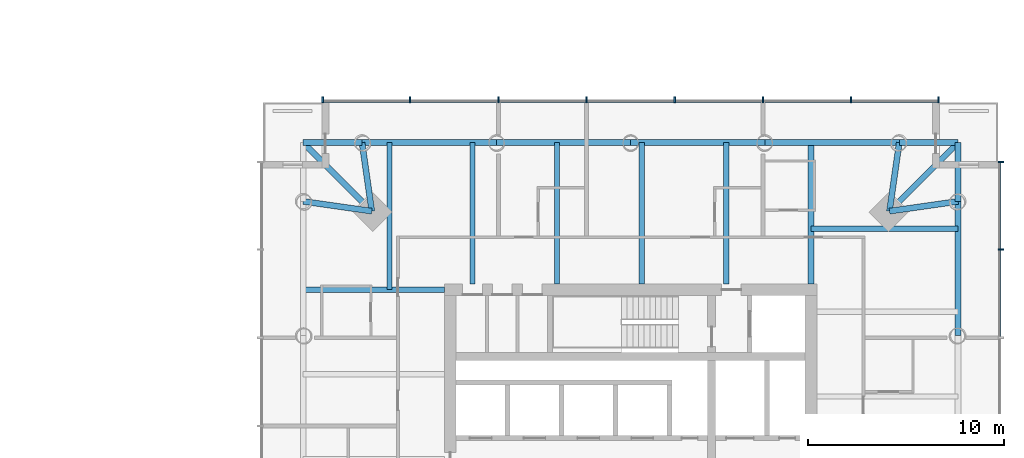
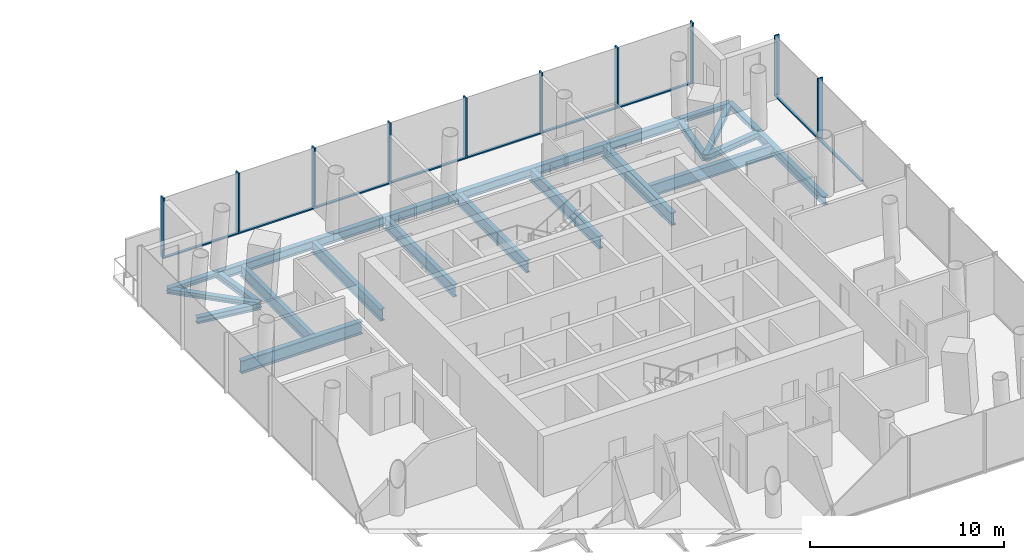
# One storey, part 6 of 18: 22 beams, 19 members, 2 elements without a shape of their own.
"""IFC4 building model written with IfcOpenShell, lengths in metres."""

from ifc_helpers import new_model, si_unit, direction, frame, origin, origin_2d, place, context, subcontext, project, spatial, rectangle, i_section, extrude, material, material_profile, profile_set, type_object, element, aggregate, save


model = new_model("IFC4")

# Units and contexts
model_context = context("Model", 3, precision=1e-05, world=origin(), true_north=direction((0.0, 1.0)))
body_context = subcontext(model_context, "Body", "Model", "MODEL_VIEW")
ifc_project = project(units=[si_unit("LENGTHUNIT", "METRE"), si_unit("AREAUNIT", "SQUARE_METRE"), si_unit("VOLUMEUNIT", "CUBIC_METRE"), si_unit("PLANEANGLEUNIT", "RADIAN"), si_unit("MASSUNIT", "GRAM", prefix="KILO")], contexts=[model_context])

# Site, building, storey
site_placement = place(None, origin())
site = spatial("IfcSite", under=ifc_project, at=site_placement, CompositionType="ELEMENT")
building_placement = place(site_placement, origin())
building = spatial("IfcBuilding", under=site, at=building_placement, Name="Ostroluk Exchange", CompositionType="ELEMENT")
storey_placement = place(building_placement, frame((0.0, 0.0, 74.199951171875)))
storey = spatial("IfcBuildingStorey", under=building, at=storey_placement, Name="L18", CompositionType="ELEMENT", Elevation=74.199951171875)

# Beams
ifc_material_1 = material(Name="Steel S355", Category="steel")
ifc_material_profile_1 = material_profile(ifc_material_1, i_section(OverallWidth=0.300048828125, OverallDepth=0.300048828125, WebThickness=0.010986328125, FlangeThickness=0.01904296875, FilletRadius=0.027099609375, at=origin_2d()), Name="HEB 300")
ifc_profile_set_1 = profile_set([ifc_material_profile_1], Name="Steel S355")
beam_type_1 = type_object("IfcBeamType", Name="Balcony beam HEB 300", PredefinedType="BEAM", material=ifc_profile_set_1)
for number, where, z_axis, x_axis, name in (
    (1, (133.706787109375, 59.706787109375, -0.349853515625), (0.0, 1.0, 0.0), (-1.0, 0.0, 0.0), "T2 east balcony beam a"),
    (2, (130.706787109375, 62.706787109375, -0.349853515625), (1.0, 0.0, 0.0), (0.0, 1.0, 0.0), "T2 east balcony beam b"),
):
    element("IfcBeam", number, at=place(storey_placement, frame(where, z_axis=z_axis, x_axis=x_axis)), inside=storey, type_object=beam_type_1, Name=name, PredefinedType="BEAM", context=body_context, shape_type="SweptSolid", body=[
        extrude(i_section(OverallWidth=0.300048828125, OverallDepth=0.300048828125, WebThickness=0.010986328125, FlangeThickness=0.01904296875, FilletRadius=0.027099609375, at=origin_2d()), origin(), (0.0, 0.0, 1.0), 3.0),
    ])
beam_1_placement = place(storey_placement, frame((130.206787109375, 59.206787109375, -0.349853515625), z_axis=(0.707106781187, 0.707106781187, 0.0), x_axis=(-0.707106781187, 0.707106781187, 0.0)))
element("IfcBeam", 3, at=beam_1_placement, inside=storey, type_object=beam_type_1, Name="T2 east balcony beam c", PredefinedType="BEAM", context=body_context, shape_type="SweptSolid", body=[
    extrude(i_section(OverallWidth=0.300048828125, OverallDepth=0.300048828125, WebThickness=0.010986328125, FlangeThickness=0.01904296875, FilletRadius=0.027099609375, at=origin_2d()), origin(), (0.0, 0.0, 1.0), 4.94970703125),
])
beam_2_placement = place(storey_placement, frame((103.293212890625, 62.706787109375, -0.349853515625), z_axis=(-1.0, 0.0, 0.0), x_axis=(0.0, -1.0, 0.0)))
element("IfcBeam", 4, at=beam_2_placement, inside=storey, type_object=beam_type_1, Name="T2 north balcony beam a", PredefinedType="BEAM", context=body_context, shape_type="SweptSolid", body=[
    extrude(i_section(OverallWidth=0.300048828125, OverallDepth=0.300048828125, WebThickness=0.010986328125, FlangeThickness=0.01904296875, FilletRadius=0.027099609375, at=origin_2d()), origin(), (0.0, 0.0, 1.0), 3.0),
])
beam_3_placement = place(storey_placement, frame((103.793212890625, 59.206787109375, -0.349853515625), z_axis=(-0.707106781187, 0.707106781187, 0.0), x_axis=(-0.707106781187, -0.707106781187, 0.0)))
element("IfcBeam", 5, at=beam_3_placement, inside=storey, type_object=beam_type_1, Name="T2 north balcony beam c", PredefinedType="BEAM", context=body_context, shape_type="SweptSolid", body=[
    extrude(i_section(OverallWidth=0.300048828125, OverallDepth=0.300048828125, WebThickness=0.010986328125, FlangeThickness=0.01904296875, FilletRadius=0.027099609375, at=origin_2d()), origin(), (0.0, 0.0, 1.0), 4.94970703125),
])
ifc_material_2 = material(Name="Steel S355", Category="steel")
ifc_material_profile_2 = material_profile(ifc_material_2, i_section(OverallWidth=0.300048828125, OverallDepth=0.39990234375, WebThickness=0.013427734375, FlangeThickness=0.02392578125, FilletRadius=0.027099609375, at=origin_2d()), Name="HEB 400")
ifc_profile_set_2 = profile_set([ifc_material_profile_2], Name="Steel S355")
beam_type_2 = type_object("IfcBeamType", Name="Corner edge beam HEB 400", PredefinedType="SPANDREL", material=ifc_profile_set_2)
for number, where, z_axis, x_axis, name in (
    (6, (130.206787109375, 59.206787109375, -0.39990234375), (0.989949493661, 0.141421356237, 0.0), (-0.141421356237, 0.989949493661, 0.0), "T2 east corner edge beam a"),
    (7, (130.206787109375, 59.206787109375, -0.39990234375), (0.141421356237, 0.989949493661, 0.0), (-0.989949493661, 0.141421356237, 0.0), "T2 east corner edge beam b"),
    (8, (103.793212890625, 59.206787109375, -0.39990234375), (-0.141421356237, 0.989949493661, 0.0), (-0.989949493661, -0.141421356237, 0.0), "T2 north corner edge beam a"),
    (9, (103.793212890625, 59.206787109375, -0.39990234375), (-0.989949493661, 0.141421356237, 0.0), (-0.141421356237, -0.989949493661, 0.0), "T2 north corner edge beam b"),
):
    element("IfcBeam", number, at=place(storey_placement, frame(where, z_axis=z_axis, x_axis=x_axis)), inside=storey, type_object=beam_type_2, Name=name, PredefinedType="SPANDREL", context=body_context, shape_type="SweptSolid", body=[
        extrude(i_section(OverallWidth=0.300048828125, OverallDepth=0.39990234375, WebThickness=0.013427734375, FlangeThickness=0.02392578125, FilletRadius=0.027099609375, at=origin_2d()), origin(), (0.0, 0.0, 1.0), 3.53564453125),
    ])
ifc_material_3 = material(Name="Steel S355", Category="steel")
ifc_material_profile_3 = material_profile(ifc_material_3, i_section(OverallWidth=0.264892578125, OverallDepth=0.7529296875, WebThickness=0.01318359375, FlangeThickness=0.01708984375, FilletRadius=0.01708984375, at=origin_2d()), Name="IPE 750x147")
ifc_profile_set_3 = profile_set([ifc_material_profile_3], Name="Steel S355")
beam_type_3 = type_object("IfcBeamType", Name="Floor beam IPE 750x147", PredefinedType="BEAM", material=ifc_profile_set_3)
beam_4_placement = place(storey_placement, frame((126.199951171875, 58.306884765625, -0.576416015625), z_axis=(1.0, 0.0, 0.0), x_axis=(0.0, 1.0, 0.0)))
element("IfcBeam", 10, at=beam_4_placement, inside=storey, type_object=beam_type_3, Name="T2 east floor beam 5", PredefinedType="BEAM", context=body_context, shape_type="SweptSolid", body=[
    extrude(i_section(OverallWidth=0.264892578125, OverallDepth=0.7529296875, WebThickness=0.01318359375, FlangeThickness=0.01708984375, FilletRadius=0.01708984375, at=origin_2d()), origin(), (0.0, 0.0, 1.0), 7.5068359375),
])
for number, where, z_axis, x_axis, name in (
    (11, (121.882080078125, 55.5, -0.576416015625), (0.0, 1.0, 0.0), (-1.0, 0.0, 0.0), "T2 north floor beam 1"),
    (12, (117.564453125, 55.5, -0.576416015625), (0.0, 1.0, 0.0), (-1.0, 0.0, 0.0), "T2 north floor beam 2"),
    (13, (113.24658203125, 55.5, -0.576416015625), (0.0, 1.0, 0.0), (-1.0, 0.0, 0.0), "T2 north floor beam 3"),
    (14, (108.9287109375, 55.5, -0.576416015625), (0.0, 1.0, 0.0), (-1.0, 0.0, 0.0), "T2 north floor beam 4"),
):
    element("IfcBeam", number, at=place(storey_placement, frame(where, z_axis=z_axis, x_axis=x_axis)), inside=storey, type_object=beam_type_3, Name=name, PredefinedType="BEAM", context=body_context, shape_type="SweptSolid", body=[
        extrude(i_section(OverallWidth=0.264892578125, OverallDepth=0.7529296875, WebThickness=0.01318359375, FlangeThickness=0.01708984375, FilletRadius=0.01708984375, at=origin_2d()), origin(), (0.0, 0.0, 1.0), 7.206787109375),
    ])
beam_5_placement = place(storey_placement, frame((104.693115234375, 55.199951171875, -0.576416015625), z_axis=(0.0, 1.0, 0.0), x_axis=(-1.0, 0.0, 0.0)))
element("IfcBeam", 15, at=beam_5_placement, inside=storey, type_object=beam_type_3, Name="T2 north floor beam 5", PredefinedType="BEAM", context=body_context, shape_type="SweptSolid", body=[
    extrude(i_section(OverallWidth=0.264892578125, OverallDepth=0.7529296875, WebThickness=0.01318359375, FlangeThickness=0.01708984375, FilletRadius=0.01708984375, at=origin_2d()), origin(), (0.0, 0.0, 1.0), 7.5068359375),
])
ifc_material_4 = material(Name="Steel S355", Category="steel")
ifc_material_profile_4 = material_profile(ifc_material_4, i_section(OverallWidth=0.300048828125, OverallDepth=0.800048828125, WebThickness=0.017578125, FlangeThickness=0.032958984375, FilletRadius=0.030029296875, at=origin_2d()), Name="HEB 800")
ifc_profile_set_4 = profile_set([ifc_material_profile_4], Name="Steel S355")
beam_type_4 = type_object("IfcBeamType", Name="Girder HEB 800", PredefinedType="BEAM", material=ifc_profile_set_4)
for number, where, z_axis, x_axis, name in (
    (16, (126.199951171875, 55.5, -0.599853515625), (0.0, 1.0, 0.0), (-1.0, 0.0, 0.0), "T2 east girder"),
    (17, (107.5, 55.199951171875, -0.599853515625), (-1.0, 0.0, 0.0), (0.0, -1.0, 0.0), "T2 north girder"),
):
    element("IfcBeam", number, at=place(storey_placement, frame(where, z_axis=z_axis, x_axis=x_axis)), inside=storey, type_object=beam_type_4, Name=name, PredefinedType="BEAM", context=body_context, shape_type="SweptSolid", body=[
        extrude(i_section(OverallWidth=0.300048828125, OverallDepth=0.800048828125, WebThickness=0.017578125, FlangeThickness=0.032958984375, FilletRadius=0.030029296875, at=origin_2d()), origin(), (0.0, 0.0, 1.0), 7.206787109375),
    ])
ifc_material_5 = material(Name="Steel S355", Category="steel")
ifc_material_profile_5 = material_profile(ifc_material_5, i_section(OverallWidth=0.300048828125, OverallDepth=0.550048828125, WebThickness=0.014892578125, FlangeThickness=0.029052734375, FilletRadius=0.027099609375, at=origin_2d()), Name="HEB 550")
ifc_profile_set_5 = profile_set([ifc_material_profile_5], Name="Steel S355")
beam_type_5 = type_object("IfcBeamType", Name="Moment-connected edge beam HEB 550", PredefinedType="SPANDREL", material=ifc_profile_set_5)
for number, where, z_axis, x_axis, name in (
    (18, (133.706787109375, 52.853515625, -0.474853515625), (0.0, 1.0, 0.0), (-1.0, 0.0, 0.0), "T2 east edge beam 4"),
    (19, (130.706787109375, 62.706787109375, -0.474853515625), (-1.0, 0.0, 0.0), (0.0, -1.0, 0.0), "T2 north edge beam 1"),
):
    element("IfcBeam", number, at=place(storey_placement, frame(where, z_axis=z_axis, x_axis=x_axis)), inside=storey, type_object=beam_type_5, Name=name, PredefinedType="SPANDREL", context=body_context, shape_type="SweptSolid", body=[
        extrude(i_section(OverallWidth=0.300048828125, OverallDepth=0.550048828125, WebThickness=0.014892578125, FlangeThickness=0.029052734375, FilletRadius=0.027099609375, at=origin_2d()), origin(), (0.0, 0.0, 1.0), 6.853271484375),
    ])
for number, where, z_axis, x_axis, name in (
    (20, (123.853515625, 62.706787109375, -0.474853515625), (-1.0, 0.0, 0.0), (0.0, -1.0, 0.0), "T2 north edge beam 2"),
    (21, (117.0, 62.706787109375, -0.474853515625), (-1.0, 0.0, 0.0), (0.0, -1.0, 0.0), "T2 north edge beam 3"),
):
    element("IfcBeam", number, at=place(storey_placement, frame(where, z_axis=z_axis, x_axis=x_axis)), inside=storey, type_object=beam_type_5, Name=name, PredefinedType="SPANDREL", context=body_context, shape_type="SweptSolid", body=[
        extrude(i_section(OverallWidth=0.300048828125, OverallDepth=0.550048828125, WebThickness=0.014892578125, FlangeThickness=0.029052734375, FilletRadius=0.027099609375, at=origin_2d()), origin(), (0.0, 0.0, 1.0), 6.853515625),
    ])
beam_6_placement = place(storey_placement, frame((110.146484375, 62.706787109375, -0.474853515625), z_axis=(-1.0, 0.0, 0.0), x_axis=(0.0, -1.0, 0.0)))
element("IfcBeam", 22, at=beam_6_placement, inside=storey, type_object=beam_type_5, Name="T2 north edge beam 4", PredefinedType="SPANDREL", context=body_context, shape_type="SweptSolid", body=[
    extrude(i_section(OverallWidth=0.300048828125, OverallDepth=0.550048828125, WebThickness=0.014892578125, FlangeThickness=0.029052734375, FilletRadius=0.027099609375, at=origin_2d()), origin(), (0.0, 0.0, 1.0), 6.853271484375),
])

# Curtain wall, members
ifc_material_6 = material(Name="Laminated clear glass", Category="glass")
curtain_wall_type = type_object("IfcCurtainWallType", Name="Hotel guest floor facade", PredefinedType="USERDEFINED", material=ifc_material_6)
curtain_wall_1_placement = place(storey_placement, origin())
curtain_wall_1 = element("IfcCurtainWall", 23, at=curtain_wall_1_placement, inside=storey, type_object=curtain_wall_type, Name="Hotel tower east facade L18", ObjectType="UNITISED CURTAIN WALL", PredefinedType="USERDEFINED")
ifc_material_7 = material(Name="Aluminium mullion", Category="aluminium")
ifc_material_profile_6 = material_profile(ifc_material_7, rectangle(XDim=0.14990234375, YDim=0.080078125, at=origin_2d()), Name="Sill transom 80 x 150")
ifc_profile_set_6 = profile_set([ifc_material_profile_6], Name="Aluminium mullion")
member_type_1 = type_object("IfcMemberType", Name="Sill transom 80 x 150", PredefinedType="USERDEFINED", material=ifc_profile_set_6)
member_1_placement = place(storey_placement, frame((135.824951171875, 52.7900390625, 0.0400390625), z_axis=(0.0, 1.0, 0.0), x_axis=(-1.0, 0.0, 0.0)))
member_1 = element("IfcMember", 24, at=member_1_placement, type_object=member_type_1, Name="CW-H1 transom 6.1", ObjectType="TRANSOM", PredefinedType="USERDEFINED", context=body_context, shape_type="SweptSolid", body=[
    extrude(rectangle(XDim=0.14990234375, YDim=0.080078125, at=origin_2d()), origin(), (0.0, 0.0, 1.0), 4.419921875),
])
member_2_placement = place(storey_placement, frame((135.824951171875, 57.2900390625, 0.0400390625), z_axis=(0.0, 1.0, 0.0), x_axis=(-1.0, 0.0, 0.0)))
member_2 = element("IfcMember", 25, at=member_2_placement, type_object=member_type_1, Name="CW-H1 transom 7.1", ObjectType="TRANSOM", PredefinedType="USERDEFINED", context=body_context, shape_type="SweptSolid", body=[
    extrude(rectangle(XDim=0.14990234375, YDim=0.080078125, at=origin_2d()), origin(), (0.0, 0.0, 1.0), 4.3798828125),
])

curtain_wall_2_placement = place(storey_placement, origin())
curtain_wall_2 = element("IfcCurtainWall", 26, at=curtain_wall_2_placement, inside=storey, type_object=curtain_wall_type, Name="Hotel tower north facade L18", ObjectType="UNITISED CURTAIN WALL", PredefinedType="USERDEFINED")
member_3_placement = place(storey_placement, frame((132.669921875, 64.824951171875, 0.0400390625), z_axis=(-1.0, 0.0, 0.0), x_axis=(0.0, -1.0, 0.0)))
member_3 = element("IfcMember", 27, at=member_3_placement, type_object=member_type_1, Name="CW-H1 transom 1.1", ObjectType="TRANSOM", PredefinedType="USERDEFINED", context=body_context, shape_type="SweptSolid", body=[
    extrude(rectangle(XDim=0.14990234375, YDim=0.080078125, at=origin_2d()), origin(), (0.0, 0.0, 1.0), 4.3798828125),
])
member_4_placement = place(storey_placement, frame((128.2099609375, 64.824951171875, 0.0400390625), z_axis=(-1.0, 0.0, 0.0), x_axis=(0.0, -1.0, 0.0)))
member_4 = element("IfcMember", 28, at=member_4_placement, type_object=member_type_1, Name="CW-H1 transom 2.1", ObjectType="TRANSOM", PredefinedType="USERDEFINED", context=body_context, shape_type="SweptSolid", body=[
    extrude(rectangle(XDim=0.14990234375, YDim=0.080078125, at=origin_2d()), origin(), (0.0, 0.0, 1.0), 4.419921875),
])
member_5_placement = place(storey_placement, frame((123.7099609375, 64.824951171875, 0.0400390625), z_axis=(-1.0, 0.0, 0.0), x_axis=(0.0, -1.0, 0.0)))
member_5 = element("IfcMember", 29, at=member_5_placement, type_object=member_type_1, Name="CW-H1 transom 3.1", ObjectType="TRANSOM", PredefinedType="USERDEFINED", context=body_context, shape_type="SweptSolid", body=[
    extrude(rectangle(XDim=0.14990234375, YDim=0.080078125, at=origin_2d()), origin(), (0.0, 0.0, 1.0), 4.419921875),
])
member_6_placement = place(storey_placement, frame((119.2099609375, 64.824951171875, 0.0400390625), z_axis=(-1.0, 0.0, 0.0), x_axis=(0.0, -1.0, 0.0)))
member_6 = element("IfcMember", 30, at=member_6_placement, type_object=member_type_1, Name="CW-H1 transom 4.1", ObjectType="TRANSOM", PredefinedType="USERDEFINED", context=body_context, shape_type="SweptSolid", body=[
    extrude(rectangle(XDim=0.14990234375, YDim=0.080078125, at=origin_2d()), origin(), (0.0, 0.0, 1.0), 4.419921875),
])
member_7_placement = place(storey_placement, frame((114.7099609375, 64.824951171875, 0.0400390625), z_axis=(-1.0, 0.0, 0.0), x_axis=(0.0, -1.0, 0.0)))
member_7 = element("IfcMember", 31, at=member_7_placement, type_object=member_type_1, Name="CW-H1 transom 5.1", ObjectType="TRANSOM", PredefinedType="USERDEFINED", context=body_context, shape_type="SweptSolid", body=[
    extrude(rectangle(XDim=0.14990234375, YDim=0.080078125, at=origin_2d()), origin(), (0.0, 0.0, 1.0), 4.419921875),
])
member_8_placement = place(storey_placement, frame((110.2099609375, 64.824951171875, 0.0400390625), z_axis=(-1.0, 0.0, 0.0), x_axis=(0.0, -1.0, 0.0)))
member_8 = element("IfcMember", 32, at=member_8_placement, type_object=member_type_1, Name="CW-H1 transom 6.1", ObjectType="TRANSOM", PredefinedType="USERDEFINED", context=body_context, shape_type="SweptSolid", body=[
    extrude(rectangle(XDim=0.14990234375, YDim=0.080078125, at=origin_2d()), origin(), (0.0, 0.0, 1.0), 4.419921875),
])
member_9_placement = place(storey_placement, frame((105.7099609375, 64.824951171875, 0.0400390625), z_axis=(-1.0, 0.0, 0.0), x_axis=(0.0, -1.0, 0.0)))
member_9 = element("IfcMember", 33, at=member_9_placement, type_object=member_type_1, Name="CW-H1 transom 7.1", ObjectType="TRANSOM", PredefinedType="USERDEFINED", context=body_context, shape_type="SweptSolid", body=[
    extrude(rectangle(XDim=0.14990234375, YDim=0.080078125, at=origin_2d()), origin(), (0.0, 0.0, 1.0), 4.3798828125),
])

# Member
ifc_material_8 = material(Name="Aluminium mullion with limestone facing", Category="masonry")
ifc_material_profile_7 = material_profile(ifc_material_8, rectangle(XDim=0.300048828125, YDim=0.080078125, at=origin_2d()), Name="Tracery mullion 80 x 300")
ifc_profile_set_7 = profile_set([ifc_material_profile_7], Name="Aluminium mullion with limestone facing")
member_type_2 = type_object("IfcMemberType", Name="Tracery mullion 80 x 300", PredefinedType="MULLION", material=ifc_profile_set_7)
member_10_placement = place(storey_placement, frame((135.89990234375, 57.25, 0.0), z_axis=(0.0, 0.0, 1.0), x_axis=(-1.0, 0.0, 0.0)))
member_10 = element("IfcMember", 34, at=member_10_placement, type_object=member_type_2, Name="CW-H1 mullion 7", PredefinedType="MULLION", context=body_context, shape_type="SweptSolid", body=[
    extrude(rectangle(XDim=0.300048828125, YDim=0.080078125, at=origin_2d()), origin(), (0.0, 0.0, 1.0), 3.800048828125),
])

member_11_placement = place(storey_placement, frame((135.89990234375, 61.7099609375, 0.0), z_axis=(0.0, 0.0, 1.0), x_axis=(-1.0, 0.0, 0.0)))
member_11 = element("IfcMember", 35, at=member_11_placement, type_object=member_type_2, Name="CW-H1 mullion 8", PredefinedType="MULLION", context=body_context, shape_type="SweptSolid", body=[
    extrude(rectangle(XDim=0.300048828125, YDim=0.080078125, at=origin_2d()), origin(), (0.0, 0.0, 1.0), 3.800048828125),
])

aggregate(curtain_wall_1, [member_10, member_11, member_1, member_2])

member_12_placement = place(storey_placement, frame((132.7099609375, 64.89990234375, 0.0), z_axis=(0.0, 0.0, 1.0), x_axis=(0.0, -1.0, 0.0)))
member_12 = element("IfcMember", 36, at=member_12_placement, type_object=member_type_2, Name="CW-H1 mullion 1", PredefinedType="MULLION", context=body_context, shape_type="SweptSolid", body=[
    extrude(rectangle(XDim=0.300048828125, YDim=0.080078125, at=origin_2d()), origin(), (0.0, 0.0, 1.0), 3.800048828125),
])

member_13_placement = place(storey_placement, frame((128.25, 64.89990234375, 0.0), z_axis=(0.0, 0.0, 1.0), x_axis=(0.0, -1.0, 0.0)))
member_13 = element("IfcMember", 37, at=member_13_placement, type_object=member_type_2, Name="CW-H1 mullion 2", PredefinedType="MULLION", context=body_context, shape_type="SweptSolid", body=[
    extrude(rectangle(XDim=0.300048828125, YDim=0.080078125, at=origin_2d()), origin(), (0.0, 0.0, 1.0), 3.800048828125),
])

member_14_placement = place(storey_placement, frame((123.75, 64.89990234375, 0.0), z_axis=(0.0, 0.0, 1.0), x_axis=(0.0, -1.0, 0.0)))
member_14 = element("IfcMember", 38, at=member_14_placement, type_object=member_type_2, Name="CW-H1 mullion 3", PredefinedType="MULLION", context=body_context, shape_type="SweptSolid", body=[
    extrude(rectangle(XDim=0.300048828125, YDim=0.080078125, at=origin_2d()), origin(), (0.0, 0.0, 1.0), 3.800048828125),
])

member_15_placement = place(storey_placement, frame((119.25, 64.89990234375, 0.0), z_axis=(0.0, 0.0, 1.0), x_axis=(0.0, -1.0, 0.0)))
member_15 = element("IfcMember", 39, at=member_15_placement, type_object=member_type_2, Name="CW-H1 mullion 4", PredefinedType="MULLION", context=body_context, shape_type="SweptSolid", body=[
    extrude(rectangle(XDim=0.300048828125, YDim=0.080078125, at=origin_2d()), origin(), (0.0, 0.0, 1.0), 3.800048828125),
])

member_16_placement = place(storey_placement, frame((114.75, 64.89990234375, 0.0), z_axis=(0.0, 0.0, 1.0), x_axis=(0.0, -1.0, 0.0)))
member_16 = element("IfcMember", 40, at=member_16_placement, type_object=member_type_2, Name="CW-H1 mullion 5", PredefinedType="MULLION", context=body_context, shape_type="SweptSolid", body=[
    extrude(rectangle(XDim=0.300048828125, YDim=0.080078125, at=origin_2d()), origin(), (0.0, 0.0, 1.0), 3.800048828125),
])

member_17_placement = place(storey_placement, frame((110.25, 64.89990234375, 0.0), z_axis=(0.0, 0.0, 1.0), x_axis=(0.0, -1.0, 0.0)))
member_17 = element("IfcMember", 41, at=member_17_placement, type_object=member_type_2, Name="CW-H1 mullion 6", PredefinedType="MULLION", context=body_context, shape_type="SweptSolid", body=[
    extrude(rectangle(XDim=0.300048828125, YDim=0.080078125, at=origin_2d()), origin(), (0.0, 0.0, 1.0), 3.800048828125),
])

member_18_placement = place(storey_placement, frame((105.75, 64.89990234375, 0.0), z_axis=(0.0, 0.0, 1.0), x_axis=(0.0, -1.0, 0.0)))
member_18 = element("IfcMember", 42, at=member_18_placement, type_object=member_type_2, Name="CW-H1 mullion 7", PredefinedType="MULLION", context=body_context, shape_type="SweptSolid", body=[
    extrude(rectangle(XDim=0.300048828125, YDim=0.080078125, at=origin_2d()), origin(), (0.0, 0.0, 1.0), 3.800048828125),
])

member_19_placement = place(storey_placement, frame((101.2900390625, 64.89990234375, 0.0), z_axis=(0.0, 0.0, 1.0), x_axis=(0.0, -1.0, 0.0)))
member_19 = element("IfcMember", 43, at=member_19_placement, type_object=member_type_2, Name="CW-H1 mullion 8", PredefinedType="MULLION", context=body_context, shape_type="SweptSolid", body=[
    extrude(rectangle(XDim=0.300048828125, YDim=0.080078125, at=origin_2d()), origin(), (0.0, 0.0, 1.0), 3.800048828125),
])

aggregate(curtain_wall_2, [member_12, member_13, member_14, member_15, member_16, member_17, member_18, member_19, member_3, member_4, member_5, member_6, member_7, member_8, member_9])

save(model, "model.ifc")
